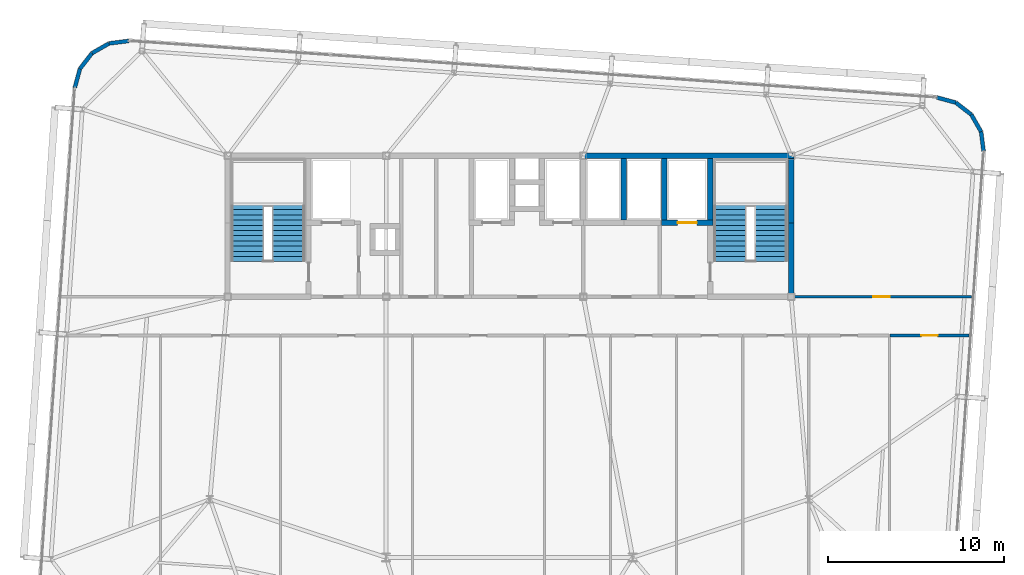
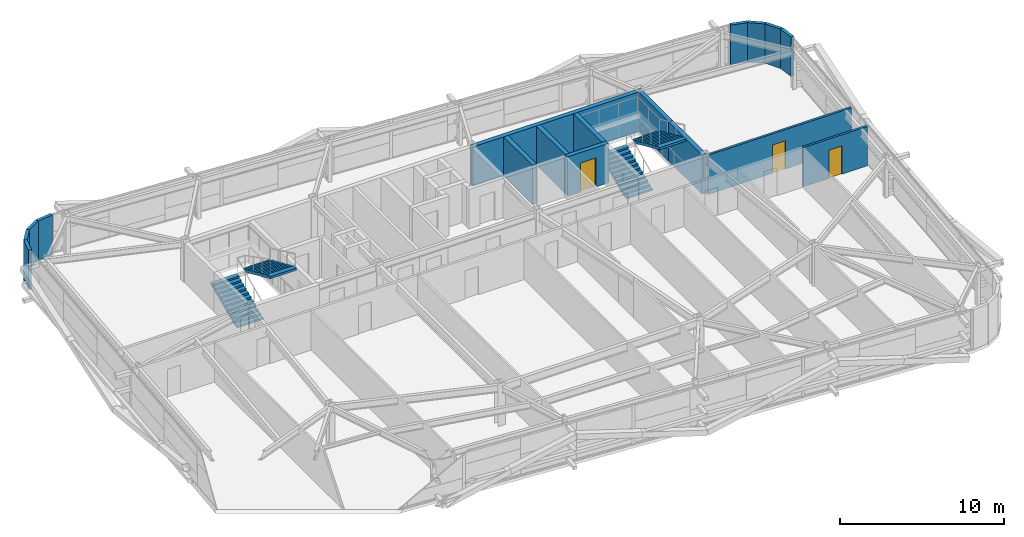
# One storey, part 37 of 39: 17 walls, 4 stair flights, 3 doors, 3 openings, 2 elements without a shape of their own.
"""IFC4 building model written with IfcOpenShell, lengths in metres."""

import ifcopenshell
import ifcopenshell.guid

model = None  # the IFC model being written
_history = None  # IfcOwnerHistory: only IFC2X3 demands one
_inside = {}  # id of a spatial element -> (the spatial element, [elements in it])
_under = {}  # id of a project, library or spatial element -> (it, [spatial elements below it])
_declared = {}  # id of a project -> (the project, [libraries it declares])
_typed = {}  # id of a type object -> (the type object, [elements of that type])
_made_of = {}  # id of a material, layer set ... -> (it, [elements and type objects made of it])


def new_model(schema):
    """Start an empty IFC model of exactly this schema.

    Asked for "IFC4X3", IfcOpenShell would pick the latest addendum, in which some entities
    have other attributes; the version numbers below select the first issue.
    IFC2X3 requires an IfcOwnerHistory on every rooted entity: one is made here for all.
    """
    global model, _history
    if schema == "IFC4X3":
        model = ifcopenshell.file(schema_version=(4, 3, 0, 0))
    else:
        model = ifcopenshell.file(schema=schema)
    _inside.clear()
    _under.clear()
    _declared.clear()
    _typed.clear()
    _made_of.clear()
    _history = None
    if model.schema == "IFC2X3":
        org = make("IfcOrganization", Name="unknown")
        user = make(
            "IfcPersonAndOrganization",
            ThePerson=make("IfcPerson", FamilyName="unknown"),
            TheOrganization=org,
        )
        app = make(
            "IfcApplication",
            ApplicationDeveloper=org,
            Version="unknown",
            ApplicationFullName="unknown",
            ApplicationIdentifier="unknown",
        )
        _history = make(
            "IfcOwnerHistory",
            OwningUser=user,
            OwningApplication=app,
            ChangeAction="ADDED",
            CreationDate=0,
        )
    return model


def make(cls, **values):
    """One entity of the class cls with the attributes given. An attribute that is None is left unset."""
    return model.create_entity(
        cls, **{name: value for name, value in values.items() if value is not None}
    )


def rooted(cls, **values):
    """An entity with a GlobalId (a new one), such as an element, a storey or a relation."""
    return make(cls, GlobalId=ifcopenshell.guid.new(), OwnerHistory=_history, **values)


def si_unit(unit_type, name, prefix=None):
    """IfcSIUnit, for example si_unit("LENGTHUNIT", "METRE", prefix="MILLI")."""
    return make("IfcSIUnit", UnitType=unit_type, Prefix=prefix, Name=name)


def assignment(units):
    """IfcUnitAssignment: the units of a project."""
    return None if units is None else make("IfcUnitAssignment", Units=units)


def point(xyz):
    """IfcCartesianPoint."""
    return None if xyz is None else make("IfcCartesianPoint", Coordinates=xyz)


def direction(xyz):
    """IfcDirection."""
    return None if xyz is None else make("IfcDirection", DirectionRatios=xyz)


def frame(location, z_axis=None, x_axis=None):
    """IfcAxis2Placement3D, a coordinate frame: its origin and axes. An axis left out is left unset."""
    return make(
        "IfcAxis2Placement3D",
        Location=point(location),
        Axis=direction(z_axis),
        RefDirection=direction(x_axis),
    )


def frame_2d(location, x_axis=None):
    """IfcAxis2Placement2D, a coordinate frame in the plane: its origin and x axis."""
    return make(
        "IfcAxis2Placement2D", Location=point(location), RefDirection=direction(x_axis)
    )


def origin():
    """The frame at (0, 0, 0) with its axes left unset."""
    return frame((0.0, 0.0, 0.0))


def place(relative_to, where):
    """IfcLocalPlacement: puts the frame where relative to a parent placement (None: the world)."""
    return make(
        "IfcLocalPlacement", PlacementRelTo=relative_to, RelativePlacement=where
    )


def context(
    kind, dimensions, precision=None, world=None, true_north=None, identifier=None
):
    """IfcGeometricRepresentationContext, for example the 3D "Model" context."""
    return make(
        "IfcGeometricRepresentationContext",
        ContextIdentifier=identifier,
        ContextType=kind,
        CoordinateSpaceDimension=dimensions,
        Precision=precision,
        WorldCoordinateSystem=world,
        TrueNorth=true_north,
    )


def subcontext(parent, identifier, kind, view, scale=None):
    """IfcGeometricRepresentationSubContext, for example "Body" below "Model"."""
    return make(
        "IfcGeometricRepresentationSubContext",
        ContextIdentifier=identifier,
        ContextType=kind,
        ParentContext=parent,
        TargetScale=scale,
        TargetView=view,
    )


def project(units=None, contexts=None):
    """IfcProject with its units and contexts."""
    return rooted(
        "IfcProject",
        Name="project",
        RepresentationContexts=contexts,
        UnitsInContext=assignment(units),
    )


def spatial(cls, under=None, at=None, **own):
    """A site, building, storey or space (cls), placed at a placement, below another one or the project."""
    s = rooted(cls, ObjectPlacement=at, **own)
    if under is not None:
        _under.setdefault(under.id(), (under, []))[1].append(s)
    return s


def polyline(points):
    """IfcPolyline through the points."""
    return make("IfcPolyline", Points=[point(p) for p in points])


def profile(cls, at=None, kind="AREA", **sizes):
    """A parametric profile (cls). Its sizes go by their IFC names, for example OverallWidth=200.0."""
    return make(cls, ProfileType=kind, Position=at, **sizes)


def rectangle(**sizes):
    """IfcRectangleProfileDef."""
    return profile("IfcRectangleProfileDef", **sizes)


def outline(outer, holes=None, kind="AREA"):
    """IfcArbitraryClosedProfileDef: a profile drawn as a closed curve; with holes, ...WithVoids."""
    if holes is None:
        return make("IfcArbitraryClosedProfileDef", ProfileType=kind, OuterCurve=outer)
    return make(
        "IfcArbitraryProfileDefWithVoids",
        ProfileType=kind,
        OuterCurve=outer,
        InnerCurves=holes,
    )


def extrude(swept, where, along, depth):
    """IfcExtrudedAreaSolid: the profile swept, set in the frame where, extruded along a direction by depth."""
    return make(
        "IfcExtrudedAreaSolid",
        SweptArea=swept,
        Position=where,
        ExtrudedDirection=direction(along),
        Depth=depth,
    )


def shape(context_of_items, identifier, shape_type, items):
    """IfcShapeRepresentation: the items that make up one representation, for example the "Body"."""
    return make(
        "IfcShapeRepresentation",
        ContextOfItems=context_of_items,
        RepresentationIdentifier=identifier,
        RepresentationType=shape_type,
        Items=items,
    )


def source(mapping_origin, context_of_items, identifier, shape_type, items):
    """IfcRepresentationMap: a shape defined once, which mapped items show again and again."""
    return make(
        "IfcRepresentationMap",
        MappingOrigin=mapping_origin,
        MappedRepresentation=shape(context_of_items, identifier, shape_type, items),
    )


def transform(
    local_origin,
    x_axis=None,
    y_axis=None,
    z_axis=None,
    scale=None,
    scale2=None,
    scale3=None,
    uniform=True,
):
    """IfcCartesianTransformationOperator3D, or its non-uniform kind. x_axis, y_axis, z_axis: its Axis1, 2, 3."""
    if uniform:
        return make(
            "IfcCartesianTransformationOperator3D",
            Axis1=direction(x_axis),
            Axis2=direction(y_axis),
            LocalOrigin=point(local_origin),
            Scale=scale,
            Axis3=direction(z_axis),
        )
    return make(
        "IfcCartesianTransformationOperator3DnonUniform",
        Axis1=direction(x_axis),
        Axis2=direction(y_axis),
        LocalOrigin=point(local_origin),
        Scale=scale,
        Axis3=direction(z_axis),
        Scale2=scale2,
        Scale3=scale3,
    )


def mapped(mapping_source, mapping_target):
    """IfcMappedItem: shows the shape of a source again, moved by a transform."""
    return make(
        "IfcMappedItem", MappingSource=mapping_source, MappingTarget=mapping_target
    )


def material(Name=None, Category=None):
    """IfcMaterial."""
    return make("IfcMaterial", Name=Name, Category=Category)


def layer(
    of_material, thickness, ventilated=None, Name=None, Category=None, Priority=None
):
    """IfcMaterialLayer: one layer of a wall or slab, of a material (None: an air gap)."""
    return make(
        "IfcMaterialLayer",
        Material=of_material,
        LayerThickness=thickness,
        IsVentilated=ventilated,
        Name=Name,
        Category=Category,
        Priority=Priority,
    )


def layer_set(layers, Name=None):
    """IfcMaterialLayerSet."""
    return make("IfcMaterialLayerSet", MaterialLayers=layers, LayerSetName=Name)


def made_of(thing, what):
    """Note that an element or type object is made of a material, layer set ...; save() writes the relation."""
    if what is not None:
        _made_of.setdefault(what.id(), (what, []))[1].append(thing)
    return thing


def type_object(cls, material=None, **own):
    """A type object (cls), such as IfcWallType, which elements share."""
    return made_of(rooted(cls, **own), material)


def element(
    cls,
    number,
    at=None,
    inside=None,
    cuts=None,
    type_object=None,
    material=None,
    context=None,
    identifier="Body",
    shape_type=None,
    held_by="IfcProductDefinitionShape",
    body=None,
    shapes=None,
    **own,
):
    """One element of the class cls, such as IfcWall. Its Tag is "e" and its number.

    at: its placement. inside: the storey or other place that contains it. cuts: it is an
    opening in that element (IfcRelVoidsElement). A single representation is given by context,
    identifier, shape_type and body (its items); several are given by shapes. held_by: the class
    of the entity that holds the representations. save() writes the other relations.
    """
    e = rooted(cls, Tag="e%d" % number, ObjectPlacement=at, **own)
    if body is not None:
        shapes = [shape(context, identifier, shape_type, body)]
    if shapes is not None:
        e.Representation = make(held_by, Representations=shapes)
    if inside is not None:
        _inside.setdefault(inside.id(), (inside, []))[1].append(e)
    if cuts is not None:
        rooted(
            "IfcRelVoidsElement", RelatingBuildingElement=cuts, RelatedOpeningElement=e
        )
    if type_object is not None:
        _typed.setdefault(type_object.id(), (type_object, []))[1].append(e)
    return made_of(e, material)


def fill(opening, filler):
    """IfcRelFillsElement: the door or window that sits in an opening."""
    return rooted(
        "IfcRelFillsElement",
        RelatingOpeningElement=opening,
        RelatedBuildingElement=filler,
    )


def aggregate(whole, parts):
    """IfcRelAggregates: a whole, such as a stair, and the parts it consists of."""
    return rooted("IfcRelAggregates", RelatingObject=whole, RelatedObjects=parts)


def save(model, path):
    """Write the relations noted so far, then the file.

    IfcRelAggregates (storeys below a building ...), IfcRelContainedInSpatialStructure (elements
    in a storey), IfcRelDefinesByType, IfcRelAssociatesMaterial and IfcRelDeclares: one each for
    every whole, place, type object, material and project.
    """
    for whole, parts in _under.values():
        aggregate(whole, parts)
    for where, things in _inside.values():
        rooted(
            "IfcRelContainedInSpatialStructure",
            RelatedElements=things,
            RelatingStructure=where,
        )
    for kind, things in _typed.values():
        rooted("IfcRelDefinesByType", RelatedObjects=things, RelatingType=kind)
    for what, things in _made_of.values():
        rooted("IfcRelAssociatesMaterial", RelatedObjects=things, RelatingMaterial=what)
    for by, libraries in _declared.values():
        rooted("IfcRelDeclares", RelatingContext=by, RelatedDefinitions=libraries)
    model.write(path)


model = new_model("IFC4")

# Units and contexts
model_context = context("Model", 3, precision=1e-05, world=origin(), true_north=direction((0.0, 1.0)))
body_context = subcontext(model_context, "Body", "Model", "MODEL_VIEW")
ifc_project = project(units=[si_unit("LENGTHUNIT", "METRE"), si_unit("AREAUNIT", "SQUARE_METRE"), si_unit("VOLUMEUNIT", "CUBIC_METRE"), si_unit("PLANEANGLEUNIT", "RADIAN"), si_unit("MASSUNIT", "GRAM", prefix="KILO")], contexts=[model_context])

# Site, building, storey
site_placement = place(None, origin())
site = spatial("IfcSite", under=ifc_project, at=site_placement, CompositionType="ELEMENT")
building_placement = place(site_placement, origin())
building = spatial("IfcBuilding", under=site, at=building_placement, Name="Taldren Reach Tower", CompositionType="ELEMENT")
storey_placement = place(building_placement, frame((0.0, 0.0, 136.14990234375)))
storey = spatial("IfcBuildingStorey", under=building, at=storey_placement, Name="L41", CompositionType="ELEMENT", Elevation=136.14990234375)

# Walls
ifc_material_1 = material(Name="Pale Champagne Anodised Aluminium Cladding", Category="aluminium")
ifc_layer_1 = layer(ifc_material_1, 0.04, Name="Pale Champagne Anodised Aluminium Cladding", Category="aluminium")
ifc_material_2 = material(Name="Mineral Wool Acoustic Insulation", Category="insulation")
ifc_layer_2 = layer(ifc_material_2, 0.06, Name="Mineral Wool Acoustic Insulation", Category="insulation")
ifc_material_3 = material(Name="Steel Gr 350 (C350L0)", Category="steel")
ifc_layer_3 = layer(ifc_material_3, 0.12, Name="Steel Gr 350 (C350L0)", Category="steel")
ifc_layer_set_1 = layer_set([ifc_layer_1, ifc_layer_2, ifc_layer_3], Name="Pale Champagne Aluminium Cladding and Steel Gr 350 Stud Framing")
wall_type_1 = type_object("IfcWallType", Name="EW-CRN-220", PredefinedType="SOLIDWALL", material=ifc_layer_set_1)
shared_shape_1 = source(origin(), body_context, "Body", "SweptSolid", [
    extrude(rectangle(XDim=1.115966796875, YDim=0.219970703125, at=frame_2d((0.55810546875, 0.0))), origin(), (0.0, 0.0, 1.0), 2.93017578125),
])
for number, where, z_axis, x_axis, name in (
    (1, (61.923583984375, 32.261962890625, 0.0), (0.0, 0.0, 1.0), (-0.126242535829, 0.991999406324, 0.0), "Rounded-corner pale-metal facade wall L41-NE1"),
    (2, (61.78271484375, 33.368896484375, 0.0), (0.0, 0.0, 1.0), (-0.496138938357, 0.868243142124, 0.0), "Rounded-corner pale-metal facade wall L41-NE2"),
    (3, (61.22900390625, 34.337890625, 0.0), (0.0, 0.0, 1.0), (-0.790716874741, 0.612182018684, 0.0), "Rounded-corner pale-metal facade wall L41-NE3"),
    (4, (60.3466796875, 35.02099609375, 0.0), (0.0, 0.0, 1.0), (-0.964804199372, 0.262969307856, 0.0), "Rounded-corner pale-metal facade wall L41-NE4"),
    (5, (13.382080078125, 38.5234375, 0.0), (0.0, 0.0, 1.0), (-0.991999406324, -0.126242535829, 0.0), "Rounded-corner pale-metal facade wall L41-NW1"),
    (6, (11.306396484375, 37.828857421875, 0.0), (0.0, 0.0, 1.0), (-0.612318787668, -0.790610967714, 0.0), "Rounded-corner pale-metal facade wall L41-NW3"),
    (7, (10.623046875, 36.946533203125, 0.0), (0.0, 0.0, 1.0), (-0.262969307856, -0.964804199372, 0.0), "Rounded-corner pale-metal facade wall L41-NW4"),
):
    element("IfcWall", number, at=place(storey_placement, frame(where, z_axis=z_axis, x_axis=x_axis)), inside=storey, type_object=wall_type_1, Name=name, PredefinedType="SOLIDWALL", context=body_context, shape_type="MappedRepresentation", body=[
        mapped(shared_shape_1, transform((0.0, 0.0, 0.0), scale=1.0)),
    ])
shared_shape_2 = source(origin(), body_context, "Body", "SweptSolid", [
    extrude(rectangle(XDim=1.11572265625, YDim=0.219970703125, at=frame_2d((0.557861328125, 0.0))), origin(), (0.0, 0.0, 1.0), 2.93017578125),
])
wall_1_placement = place(storey_placement, frame((12.275146484375, 38.382568359375, 0.0), z_axis=(0.0, 0.0, 1.0), x_axis=(-0.868189279113, -0.496233186751, 0.0)))
element("IfcWall", 8, at=wall_1_placement, inside=storey, type_object=wall_type_1, Name="Rounded-corner pale-metal facade wall L41-NW2", PredefinedType="SOLIDWALL", context=body_context, shape_type="MappedRepresentation", body=[
    mapped(shared_shape_2, transform((0.0, 0.0, 0.0), scale=1.0)),
])
ifc_material_4 = material(Name="Concrete S65 (65 MPa)", Category="concrete")
ifc_layer_4 = layer(ifc_material_4, 0.300048828125)
ifc_layer_set_2 = layer_set([ifc_layer_4], Name="Concrete S65 (65 MPa)")
wall_type_2 = type_object("IfcWallType", Name="IW-CORE-300", PredefinedType="SHEAR", material=ifc_layer_set_2)
shared_shape_3 = source(origin(), body_context, "Body", "SweptSolid", [
    extrude(rectangle(XDim=11.949951171875, YDim=0.300048828125, at=frame_2d((5.97509765625, 0.0))), origin(), (0.0, 0.0, 1.0), 2.93017578125),
])
wall_2_placement = place(storey_placement, frame((39.199951171875, 32.0, 0.0), z_axis=(0.0, 0.0, 1.0), x_axis=(1.0, 0.0, 0.0)))
element("IfcWall", 9, at=wall_2_placement, inside=storey, type_object=wall_type_2, Name="Rear Core Shear Wall W-CORE-L41-NORTH3", PredefinedType="SHEAR", context=body_context, shape_type="MappedRepresentation", body=[
    mapped(shared_shape_3, transform((0.0, 0.0, 0.0), scale=1.0)),
])
shared_shape_4 = source(origin(), body_context, "Body", "SweptSolid", [
    extrude(rectangle(XDim=4.050048828125, YDim=0.300048828125, at=frame_2d((2.02490234375, 0.0))), origin(), (0.0, 0.0, 1.0), 2.93017578125),
])
wall_3_placement = place(storey_placement, frame((51.0, 24.14990234375, 0.0), z_axis=(0.0, 0.0, 1.0), x_axis=(0.0, 1.0, 0.0)))
element("IfcWall", 10, at=wall_3_placement, inside=storey, type_object=wall_type_2, Name="Rear Core Shear Wall W-CORE-L41-EAST1", PredefinedType="SHEAR", context=body_context, shape_type="MappedRepresentation", body=[
    mapped(shared_shape_4, transform((0.0, 0.0, 0.0), scale=1.0)),
])
shared_shape_5 = source(origin(), body_context, "Body", "SweptSolid", [
    extrude(rectangle(XDim=3.650146484375, YDim=0.300048828125, at=frame_2d((1.8251953125, 0.0))), origin(), (0.0, 0.0, 1.0), 2.93017578125),
])
wall_4_placement = place(storey_placement, frame((51.0, 28.199951171875, 0.0), z_axis=(0.0, 0.0, 1.0), x_axis=(0.0, 1.0, 0.0)))
element("IfcWall", 11, at=wall_4_placement, inside=storey, type_object=wall_type_2, Name="Rear Core Shear Wall W-CORE-L41-EAST2", PredefinedType="SHEAR", context=body_context, shape_type="MappedRepresentation", body=[
    mapped(shared_shape_5, transform((0.0, 0.0, 0.0), scale=1.0)),
])
shared_shape_6 = source(origin(), body_context, "Body", "SweptSolid", [
    extrude(rectangle(XDim=3.5, YDim=0.300048828125, at=frame_2d((1.75, 0.0))), origin(), (0.0, 0.0, 1.0), 2.93017578125),
])
for number, where, z_axis, x_axis, name in (
    (12, (46.39990234375, 31.85009765625, 0.0), (0.0, 0.0, 1.0), (0.0, -1.0, 0.0), "Rear Core Shear Wall W-INT-L41-007"),
    (13, (43.800048828125, 31.85009765625, 0.0), (0.0, 0.0, 1.0), (0.0, -1.0, 0.0), "Rear Core Shear Wall W-INT-L41-011"),
    (14, (41.5, 28.35009765625, 0.0), (0.0, 0.0, 1.0), (0.0, 1.0, 0.0), "Rear Core Shear Wall W-INT-L41-033"),
):
    element("IfcWall", number, at=place(storey_placement, frame(where, z_axis=z_axis, x_axis=x_axis)), inside=storey, type_object=wall_type_2, Name=name, PredefinedType="SHEAR", context=body_context, shape_type="MappedRepresentation", body=[
        mapped(shared_shape_6, transform((0.0, 0.0, 0.0), scale=1.0)),
    ])

# Wall, opening, door
shared_shape_7 = source(origin(), body_context, "Body", "SweptSolid", [
    extrude(rectangle(XDim=2.900146484375, YDim=0.300048828125, at=frame_2d((1.4501953125, 0.0))), origin(), (0.0, 0.0, 1.0), 2.93017578125),
])
wall_5_placement = place(storey_placement, frame((43.64990234375, 28.199951171875, 0.0), z_axis=(0.0, 0.0, 1.0), x_axis=(1.0, 0.0, 0.0)))
wall_5 = element("IfcWall", 15, at=wall_5_placement, inside=storey, type_object=wall_type_2, Name="Rear Core Shear Wall W-INT-L41-010", PredefinedType="SHEAR", context=body_context, shape_type="MappedRepresentation", body=[
    mapped(shared_shape_7, transform((0.0, 0.0, 0.0), scale=1.0)),
])
shared_shape_8 = source(origin(), body_context, "Body", "SweptSolid", [
    extrude(rectangle(XDim=1.10009765625, YDim=2.14990234375, at=frame_2d((0.550048828125, 1.074951171875))), frame((0.0, 0.16015625, 0.0), z_axis=(0.0, -1.0, 0.0), x_axis=(1.0, 0.0, 0.0)), (0.0, 0.0, 1.0), 0.320068359375),
])
opening_1_placement = place(wall_5_placement, frame((0.89990234375, 0.0, 0.0)))
opening_1 = element("IfcOpeningElement", 16, at=opening_1_placement, cuts=wall_5, Name="Opening LD-FL2", PredefinedType="OPENING", context=body_context, shape_type="MappedRepresentation", body=[
    mapped(shared_shape_8, transform((0.0, 0.0, 0.0), scale=1.0)),
])
ifc_material_5 = material(Name="Stainless Steel Gr 316 Emergency Lift Landing Door", Category="steel")
door_type_1 = type_object("IfcDoorType", Name="LD-EMG-110", OperationType="SLIDING_TO_LEFT", PredefinedType="DOOR", material=ifc_material_5)
shared_shape_9 = source(origin(), body_context, "Body", "SweptSolid", [
    extrude(rectangle(XDim=1.10009765625, YDim=2.14990234375, at=frame_2d((0.550048828125, 1.074951171875))), frame((0.0, 0.02490234375, 0.0), z_axis=(0.0, -1.0, 0.0), x_axis=(1.0, 0.0, 0.0)), (0.0, 0.0, 1.0), 0.050048828125),
])
door_1_placement = place(opening_1_placement, origin())
door_1 = element("IfcDoor", 17, at=door_1_placement, inside=storey, type_object=door_type_1, Name="Lift Landing Door LD-FL2-L41", OperationType="SLIDING_TO_LEFT", OverallHeight=2.14990234375, OverallWidth=1.10009765625, PredefinedType="DOOR", context=body_context, shape_type="MappedRepresentation", body=[
    mapped(shared_shape_9, transform((0.0, 0.0, 0.0), scale=1.0)),
])
fill(opening_1, door_1)

ifc_material_6 = material(Name="Fire-Rated Acoustic Plasterboard Stud Wall", Category="gypsum")
ifc_layer_5 = layer(ifc_material_6, 0.159912109375)
ifc_layer_set_3 = layer_set([ifc_layer_5], Name="Fire-Rated Acoustic Plasterboard Stud Wall")
wall_type_3 = type_object("IfcWallType", Name="IW-FIRE-160", PredefinedType="PARTITIONING", material=ifc_layer_set_3)
shared_shape_10 = source(origin(), body_context, "Body", "SweptSolid", [
    extrude(rectangle(XDim=10.10009765625, YDim=0.159912109375, at=frame_2d((5.050048828125, 0.0))), origin(), (0.0, 0.0, 1.0), 2.93017578125),
])
wall_6_placement = place(storey_placement, frame((51.14990234375, 24.0, 0.0), z_axis=(0.0, 0.0, 1.0), x_axis=(1.0, 0.0, 0.0)))
wall_6 = element("IfcWall", 18, at=wall_6_placement, inside=storey, type_object=wall_type_3, Name="Interior Partition Wall W-INT-L41-052", PredefinedType="PARTITIONING", context=body_context, shape_type="MappedRepresentation", body=[
    mapped(shared_shape_10, transform((0.0, 0.0, 0.0), scale=1.0)),
])
shared_shape_11 = source(origin(), body_context, "Body", "SweptSolid", [
    extrude(rectangle(XDim=0.919921875, YDim=2.10009765625, at=frame_2d((0.4599609375, 1.050048828125))), frame((0.0, 0.08984375, 0.0), z_axis=(0.0, -1.0, 0.0), x_axis=(1.0, 0.0, 0.0)), (0.0, 0.0, 1.0), 0.179931640625),
])
opening_2_placement = place(wall_6_placement, frame((4.525146484375, 0.0, 0.0)))
opening_2 = element("IfcOpeningElement", 19, at=opening_2_placement, cuts=wall_6, Name="Opening DI-092", PredefinedType="OPENING", context=body_context, shape_type="MappedRepresentation", body=[
    mapped(shared_shape_11, transform((0.0, 0.0, 0.0), scale=1.0)),
])
ifc_material_7 = material(Name="Solid-Core Timber Suite Door", Category="wood")
door_type_2 = type_object("IfcDoorType", Name="ID-INT-092", OperationType="NOTDEFINED", PredefinedType="DOOR", material=ifc_material_7)
shared_shape_12 = source(origin(), body_context, "Body", "SweptSolid", [
    extrude(rectangle(XDim=0.919921875, YDim=2.10009765625, at=frame_2d((0.4599609375, 1.050048828125))), frame((0.0, 0.02490234375, 0.0), z_axis=(0.0, -1.0, 0.0), x_axis=(1.0, 0.0, 0.0)), (0.0, 0.0, 1.0), 0.050048828125),
])
door_2_placement = place(opening_2_placement, origin())
door_2 = element("IfcDoor", 20, at=door_2_placement, inside=storey, type_object=door_type_2, Name="Interior Door DR-L41-019", OperationType="SINGLE_SWING_RIGHT", OverallHeight=2.10009765625, OverallWidth=0.919921875, PredefinedType="DOOR", context=body_context, shape_type="MappedRepresentation", body=[
    mapped(shared_shape_12, transform((0.0, 0.0, 0.0), scale=1.0)),
])
fill(opening_2, door_2)

shared_shape_13 = source(origin(), body_context, "Body", "SweptSolid", [
    extrude(rectangle(XDim=4.4990234375, YDim=0.159912109375, at=frame_2d((2.24951171875, 0.0))), origin(), (0.0, 0.0, 1.0), 2.93017578125),
])
wall_7_placement = place(storey_placement, frame((61.107421875, 21.800048828125, 0.0), z_axis=(0.0, 0.0, 1.0), x_axis=(-1.0, 0.0, 0.0)))
wall_7 = element("IfcWall", 21, at=wall_7_placement, inside=storey, type_object=wall_type_3, Name="Interior Partition Wall W-INT-L41-051", PredefinedType="PARTITIONING", context=body_context, shape_type="MappedRepresentation", body=[
    mapped(shared_shape_13, transform((0.0, 0.0, 0.0), scale=1.0)),
])
opening_3_placement = place(wall_7_placement, frame((1.78955078125, 0.0, 0.0)))
opening_3 = element("IfcOpeningElement", 22, at=opening_3_placement, cuts=wall_7, Name="Opening DI-092", PredefinedType="OPENING", context=body_context, shape_type="MappedRepresentation", body=[
    mapped(shared_shape_11, transform((0.0, 0.0, 0.0), scale=1.0)),
])
door_3_placement = place(opening_3_placement, origin())
door_3 = element("IfcDoor", 23, at=door_3_placement, inside=storey, type_object=door_type_2, Name="Interior Door DR-L41-018", OperationType="SINGLE_SWING_LEFT", OverallHeight=2.10009765625, OverallWidth=0.919921875, PredefinedType="DOOR", context=body_context, shape_type="MappedRepresentation", body=[
    mapped(shared_shape_12, transform((0.0, 0.0, 0.0), scale=1.0)),
])
fill(opening_3, door_3)

# Stair, stair flights
ifc_material_8 = material(Name="Concrete S50 (50 MPa)", Category="concrete")
stair_type = type_object("IfcStairType", Name="ST-HT-315", PredefinedType="HALF_TURN_STAIR", material=ifc_material_8)
stair_1_placement = place(storey_placement, origin())
stair_1 = element("IfcStair", 24, at=stair_1_placement, inside=storey, type_object=stair_type, Name="Fire-isolated exit stair ST1 L41", PredefinedType="HALF_TURN_STAIR")
stair_flight_type = type_object("IfcStairFlightType", Name="SF-STR-315", PredefinedType="STRAIGHT", material=ifc_material_8)
stair_flight_1_placement = place(storey_placement, frame((20.139892578125, 25.989990234375, 0.0), z_axis=(0.0, 0.0, 1.0), x_axis=(0.0, 1.0, 0.0)))
stair_flight_1 = element("IfcStairFlight", 25, at=stair_flight_1_placement, type_object=stair_flight_type, Name="ST1 flight 1", NumberOfRisers=12, NumberOfTreads=11, PredefinedType="STRAIGHT", RiserHeight=0.13125, TreadLength=0.295, context=body_context, shape_type="SweptSolid", body=[
    extrude(outline(polyline([(0.0, 0.0), (0.0, 0.13134765625), (0.294921875, 0.13134765625), (0.294921875, 0.262451171875), (0.590087890625, 0.262451171875), (0.590087890625, 0.393798828125), (0.885009765625, 0.393798828125), (0.885009765625, 0.52490234375), (1.179931640625, 0.52490234375), (1.179931640625, 0.65625), (1.47509765625, 0.65625), (1.47509765625, 0.78759765625), (1.77001953125, 0.78759765625), (1.77001953125, 0.918701171875), (2.06494140625, 0.918701171875), (2.06494140625, 1.050048828125), (2.360107421875, 1.050048828125), (2.360107421875, 1.18115234375), (2.655029296875, 1.18115234375), (2.655029296875, 1.3125), (2.949951171875, 1.3125), (2.949951171875, 1.44384765625), (3.2451171875, 1.44384765625), (3.2451171875, 1.574951171875), (3.2451171875, 1.268798828125), (0.393310546875, 0.0), (0.0, 0.0)])), frame((0.0, 0.919921875, 0.0), z_axis=(0.0, -1.0, 0.0), x_axis=(1.0, 0.0, 0.0)), (0.0, 0.0, 1.0), 1.840087890625),
])
stair_flight_2_placement = place(storey_placement, frame((22.4599609375, 29.235107421875, 1.5751953125), z_axis=(0.0, 0.0, 1.0), x_axis=(0.0, -1.0, 0.0)))
stair_flight_2 = element("IfcStairFlight", 26, at=stair_flight_2_placement, type_object=stair_flight_type, Name="ST1 flight 2", NumberOfRisers=12, NumberOfTreads=11, PredefinedType="STRAIGHT", RiserHeight=0.13125, TreadLength=0.295, context=body_context, shape_type="SweptSolid", body=[
    extrude(outline(polyline([(0.0, 0.0), (0.0, 0.13134765625), (0.294921875, 0.13134765625), (0.294921875, 0.262451171875), (0.590087890625, 0.262451171875), (0.590087890625, 0.393798828125), (0.885009765625, 0.393798828125), (0.885009765625, 0.52490234375), (1.179931640625, 0.52490234375), (1.179931640625, 0.65625), (1.47509765625, 0.65625), (1.47509765625, 0.78759765625), (1.77001953125, 0.78759765625), (1.77001953125, 0.918701171875), (2.06494140625, 0.918701171875), (2.06494140625, 1.050048828125), (2.360107421875, 1.050048828125), (2.360107421875, 1.18115234375), (2.655029296875, 1.18115234375), (2.655029296875, 1.3125), (2.949951171875, 1.3125), (2.949951171875, 1.44384765625), (3.2451171875, 1.44384765625), (3.2451171875, 1.574951171875), (3.2451171875, 1.268798828125), (0.393310546875, 0.0), (0.0, 0.0)])), frame((0.0, 0.919921875, 0.0), z_axis=(0.0, -1.0, 0.0), x_axis=(1.0, 0.0, 0.0)), (0.0, 0.0, 1.0), 1.840087890625),
])
aggregate(stair_1, [stair_flight_1, stair_flight_2])

stair_2_placement = place(storey_placement, origin())
stair_2 = element("IfcStair", 27, at=stair_2_placement, inside=storey, type_object=stair_type, Name="Fire-isolated exit stair ST2 L41", PredefinedType="HALF_TURN_STAIR")
stair_flight_3_placement = place(storey_placement, frame((47.5400390625, 25.989990234375, 0.0), z_axis=(0.0, 0.0, 1.0), x_axis=(0.0, 1.0, 0.0)))
stair_flight_3 = element("IfcStairFlight", 28, at=stair_flight_3_placement, type_object=stair_flight_type, Name="ST2 flight 1", NumberOfRisers=12, NumberOfTreads=11, PredefinedType="STRAIGHT", RiserHeight=0.13125, TreadLength=0.295, context=body_context, shape_type="SweptSolid", body=[
    extrude(outline(polyline([(0.0, 0.0), (0.0, 0.13134765625), (0.294921875, 0.13134765625), (0.294921875, 0.262451171875), (0.590087890625, 0.262451171875), (0.590087890625, 0.393798828125), (0.885009765625, 0.393798828125), (0.885009765625, 0.52490234375), (1.179931640625, 0.52490234375), (1.179931640625, 0.65625), (1.47509765625, 0.65625), (1.47509765625, 0.78759765625), (1.77001953125, 0.78759765625), (1.77001953125, 0.918701171875), (2.06494140625, 0.918701171875), (2.06494140625, 1.050048828125), (2.360107421875, 1.050048828125), (2.360107421875, 1.18115234375), (2.655029296875, 1.18115234375), (2.655029296875, 1.3125), (2.949951171875, 1.3125), (2.949951171875, 1.44384765625), (3.2451171875, 1.44384765625), (3.2451171875, 1.574951171875), (3.2451171875, 1.268798828125), (0.393310546875, 0.0), (0.0, 0.0)])), frame((0.0, 0.919921875, 0.0), z_axis=(0.0, -1.0, 0.0), x_axis=(1.0, 0.0, 0.0)), (0.0, 0.0, 1.0), 1.840087890625),
])
stair_flight_4_placement = place(storey_placement, frame((49.860107421875, 29.235107421875, 1.5751953125), z_axis=(0.0, 0.0, 1.0), x_axis=(0.0, -1.0, 0.0)))
stair_flight_4 = element("IfcStairFlight", 29, at=stair_flight_4_placement, type_object=stair_flight_type, Name="ST2 flight 2", NumberOfRisers=12, NumberOfTreads=11, PredefinedType="STRAIGHT", RiserHeight=0.13125, TreadLength=0.295, context=body_context, shape_type="SweptSolid", body=[
    extrude(outline(polyline([(0.0, 0.0), (0.0, 0.13134765625), (0.294921875, 0.13134765625), (0.294921875, 0.262451171875), (0.590087890625, 0.262451171875), (0.590087890625, 0.393798828125), (0.885009765625, 0.393798828125), (0.885009765625, 0.52490234375), (1.179931640625, 0.52490234375), (1.179931640625, 0.65625), (1.47509765625, 0.65625), (1.47509765625, 0.78759765625), (1.77001953125, 0.78759765625), (1.77001953125, 0.918701171875), (2.06494140625, 0.918701171875), (2.06494140625, 1.050048828125), (2.360107421875, 1.050048828125), (2.360107421875, 1.18115234375), (2.655029296875, 1.18115234375), (2.655029296875, 1.3125), (2.949951171875, 1.3125), (2.949951171875, 1.44384765625), (3.2451171875, 1.44384765625), (3.2451171875, 1.574951171875), (3.2451171875, 1.268798828125), (0.393310546875, 0.0), (0.0, 0.0)])), frame((0.0, 0.919921875, 0.0), z_axis=(0.0, -1.0, 0.0), x_axis=(1.0, 0.0, 0.0)), (0.0, 0.0, 1.0), 1.840087890625),
])
aggregate(stair_2, [stair_flight_3, stair_flight_4])

save(model, "model.ifc")
